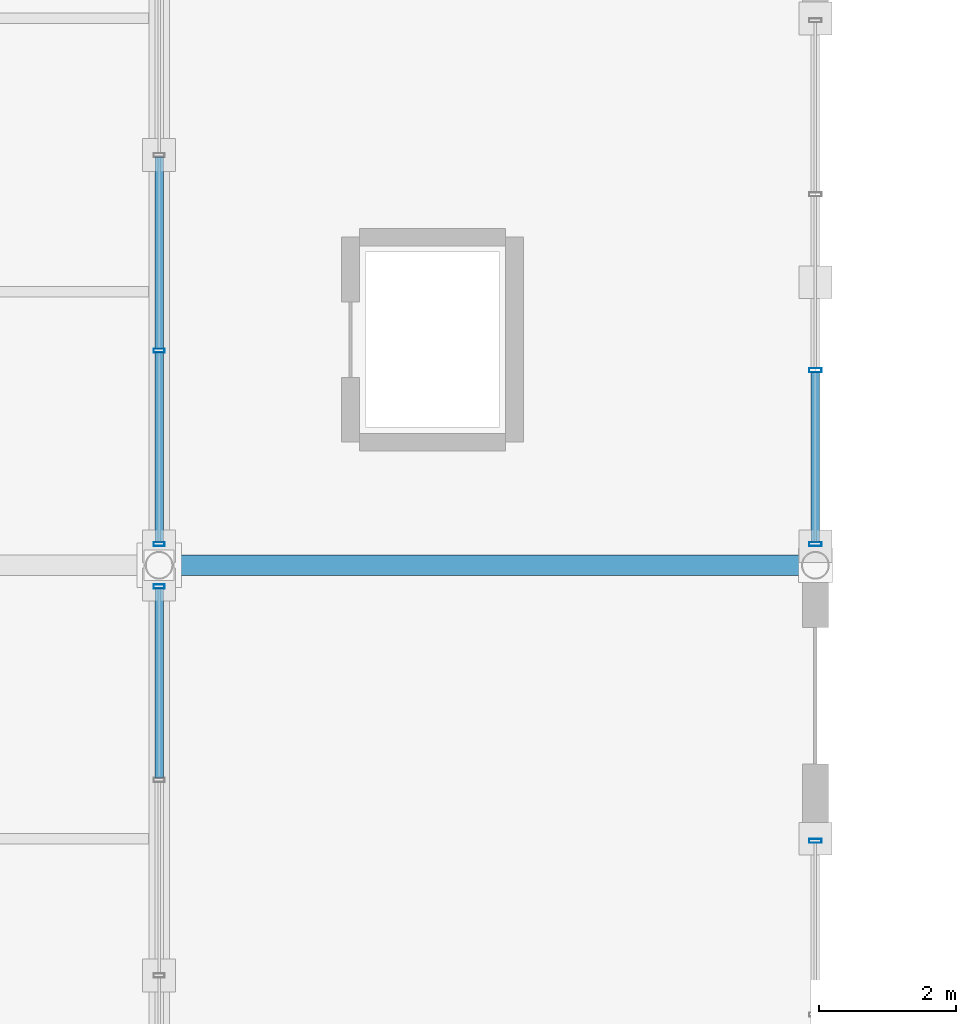
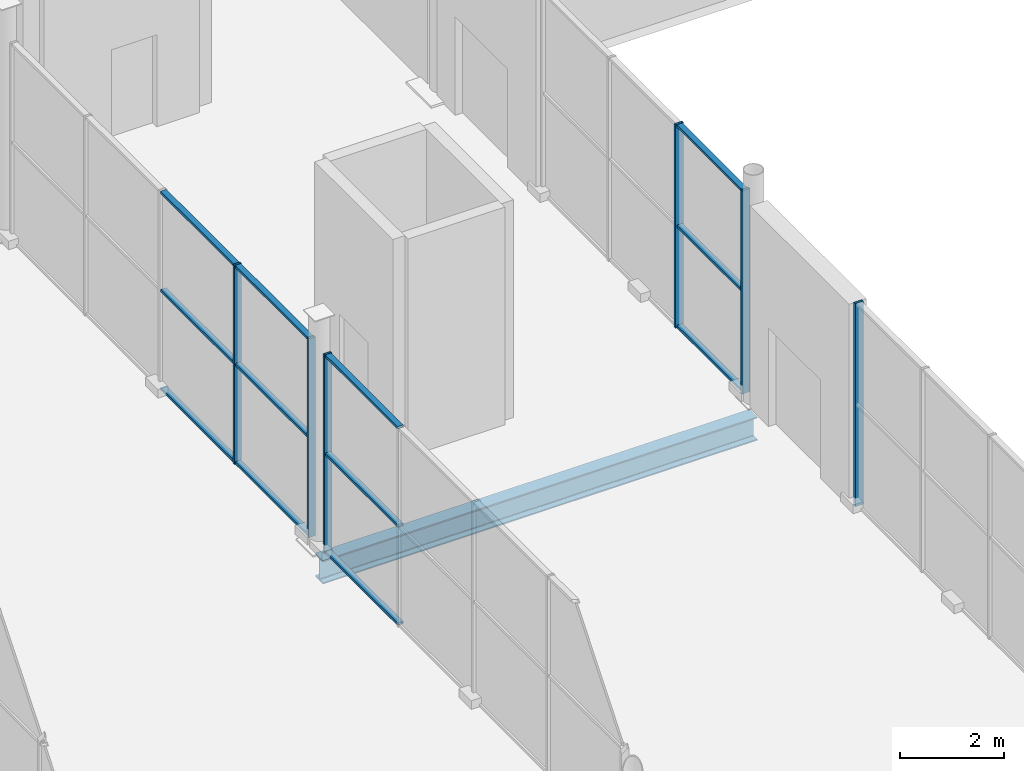
# One storey, part 116 of 196: 18 members, 1 beam, 4 elements without a shape of their own.
"""IFC4 building model written with IfcOpenShell, lengths in metres."""

from ifc_helpers import new_model, si_unit, direction, frame, origin, origin_2d, place, context, subcontext, project, spatial, hollow_rectangle, i_section, extrude, material, material_profile, profile_set, type_object, element, aggregate, save


model = new_model("IFC4")

# Units and contexts
model_context = context("Model", 3, precision=1e-05, world=origin(), true_north=direction((0.0, 1.0)))
body_context = subcontext(model_context, "Body", "Model", "MODEL_VIEW")
ifc_project = project(units=[si_unit("LENGTHUNIT", "METRE"), si_unit("AREAUNIT", "SQUARE_METRE"), si_unit("VOLUMEUNIT", "CUBIC_METRE"), si_unit("PLANEANGLEUNIT", "RADIAN"), si_unit("MASSUNIT", "GRAM", prefix="KILO")], contexts=[model_context])

# Site, building, storey
site_placement = place(None, origin())
site = spatial("IfcSite", under=ifc_project, at=site_placement, CompositionType="ELEMENT")
building_placement = place(site_placement, origin())
building = spatial("IfcBuilding", under=site, at=building_placement, Name="Merenkruunu Market Hall", CompositionType="ELEMENT")
storey_placement = place(building_placement, origin())
storey = spatial("IfcBuildingStorey", under=building, at=storey_placement, Name="L00", CompositionType="ELEMENT", Elevation=0.0)

# Curtain wall, member
ifc_material_1 = material(Name="Powder-coated aluminium", Category="aluminium")
curtain_wall_type_1 = type_object("IfcCurtainWallType", Name="Glazed Curtain Wall CW15", PredefinedType="USERDEFINED", material=ifc_material_1)
curtain_wall_1_placement = place(storey_placement, origin())
curtain_wall_1 = element("IfcCurtainWall", 1, at=curtain_wall_1_placement, inside=storey, type_object=curtain_wall_type_1, Name="CW-L00-CWM01-174", ObjectType="GLAZED_FACADE", PredefinedType="USERDEFINED")
ifc_material_profile_1 = material_profile(ifc_material_1, hollow_rectangle(XDim=0.06005859375, YDim=0.159912109375, WallThickness=0.00390625, at=origin_2d()), Name="ALU 60x160x4")
ifc_profile_set_1 = profile_set([ifc_material_profile_1], Name="Powder-coated aluminium")
member_type_1 = type_object("IfcMemberType", Name="Curtain Wall Mullion CWM01", PredefinedType="MULLION", material=ifc_profile_set_1)
member_1_placement = place(storey_placement, frame((67.199951171875, 75.2900390625, 0.0), z_axis=(0.0, 0.0, 1.0), x_axis=(0.0, 1.0, 0.0)))
member_1 = element("IfcMember", 2, at=member_1_placement, type_object=member_type_1, Name="CW15 mullion 5", PredefinedType="MULLION", context=body_context, shape_type="SweptSolid", body=[
    extrude(hollow_rectangle(XDim=0.06005859375, YDim=0.159912109375, WallThickness=0.00390625, at=origin_2d()), origin(), (0.0, 0.0, 1.0), 4.64990234375),
])

# Curtain wall, members
curtain_wall_2_placement = place(storey_placement, origin())
curtain_wall_2 = element("IfcCurtainWall", 3, at=curtain_wall_2_placement, inside=storey, type_object=curtain_wall_type_1, Name="CW-L00-CWM01-176", ObjectType="GLAZED_FACADE", PredefinedType="USERDEFINED")
member_2_placement = place(storey_placement, frame((67.199951171875, 75.909912109375, 0.0), z_axis=(0.0, 0.0, 1.0), x_axis=(0.0, 1.0, 0.0)))
member_2 = element("IfcMember", 4, at=member_2_placement, type_object=member_type_1, Name="CW15 mullion 1", PredefinedType="MULLION", context=body_context, shape_type="SweptSolid", body=[
    extrude(hollow_rectangle(XDim=0.06005859375, YDim=0.159912109375, WallThickness=0.00390625, at=origin_2d()), origin(), (0.0, 0.0, 1.0), 4.64990234375),
])
member_3_placement = place(storey_placement, frame((67.199951171875, 78.739990234375, 0.0), z_axis=(0.0, 0.0, 1.0), x_axis=(0.0, 1.0, 0.0)))
member_3 = element("IfcMember", 5, at=member_3_placement, type_object=member_type_1, Name="CW15 mullion 2", PredefinedType="MULLION", context=body_context, shape_type="SweptSolid", body=[
    extrude(hollow_rectangle(XDim=0.06005859375, YDim=0.159912109375, WallThickness=0.00390625, at=origin_2d()), origin(), (0.0, 0.0, 1.0), 4.64990234375),
])

# Curtain wall, member
curtain_wall_type_2 = type_object("IfcCurtainWallType", Name="Glazed Curtain Wall CW12", PredefinedType="USERDEFINED", material=ifc_material_1)
curtain_wall_3_placement = place(storey_placement, origin())
curtain_wall_3 = element("IfcCurtainWall", 6, at=curtain_wall_3_placement, inside=storey, type_object=curtain_wall_type_2, Name="CW-L00-CWM02-162", ObjectType="GLAZED_FACADE", PredefinedType="USERDEFINED")
ifc_material_profile_2 = material_profile(ifc_material_1, hollow_rectangle(XDim=0.06005859375, YDim=0.179931640625, WallThickness=0.00390625, at=origin_2d()), Name="ALU 60x180x4")
ifc_profile_set_2 = profile_set([ifc_material_profile_2], Name="Powder-coated aluminium")
member_type_2 = type_object("IfcMemberType", Name="Curtain Wall Mullion CWM02", PredefinedType="MULLION", material=ifc_profile_set_2)
member_4_placement = place(storey_placement, frame((76.800048828125, 71.570068359375, 0.0), z_axis=(0.0, 0.0, 1.0), x_axis=(0.0, -1.0, 0.0)))
member_4 = element("IfcMember", 7, at=member_4_placement, type_object=member_type_2, Name="CW12 mullion 1", PredefinedType="MULLION", context=body_context, shape_type="SweptSolid", body=[
    extrude(hollow_rectangle(XDim=0.06005859375, YDim=0.179931640625, WallThickness=0.00390625, at=origin_2d()), origin(), (0.0, 0.0, 1.0), 4.75),
])
aggregate(curtain_wall_3, [member_4])

# Curtain wall, members
curtain_wall_4_placement = place(storey_placement, origin())
curtain_wall_4 = element("IfcCurtainWall", 8, at=curtain_wall_4_placement, inside=storey, type_object=curtain_wall_type_2, Name="CW-L00-CWM02-165", ObjectType="GLAZED_FACADE", PredefinedType="USERDEFINED")
member_5_placement = place(storey_placement, frame((76.800048828125, 78.453369140625, 0.0), z_axis=(0.0, 0.0, 1.0), x_axis=(0.0, -1.0, 0.0)))
member_5 = element("IfcMember", 9, at=member_5_placement, type_object=member_type_2, Name="CW12 mullion 3", PredefinedType="MULLION", context=body_context, shape_type="SweptSolid", body=[
    extrude(hollow_rectangle(XDim=0.06005859375, YDim=0.179931640625, WallThickness=0.00390625, at=origin_2d()), origin(), (0.0, 0.0, 1.0), 4.75),
])
member_6_placement = place(storey_placement, frame((76.800048828125, 75.909912109375, 0.0), z_axis=(0.0, 0.0, 1.0), x_axis=(0.0, -1.0, 0.0)))
member_6 = element("IfcMember", 10, at=member_6_placement, type_object=member_type_2, Name="CW12 mullion 4", PredefinedType="MULLION", context=body_context, shape_type="SweptSolid", body=[
    extrude(hollow_rectangle(XDim=0.06005859375, YDim=0.179931640625, WallThickness=0.00390625, at=origin_2d()), origin(), (0.0, 0.0, 1.0), 4.75),
])
ifc_material_profile_3 = material_profile(ifc_material_1, hollow_rectangle(XDim=0.06005859375, YDim=0.125, WallThickness=0.00390625, at=origin_2d()), Name="ALU 60x125x4")
ifc_profile_set_3 = profile_set([ifc_material_profile_3], Name="Powder-coated aluminium")
member_type_3 = type_object("IfcMemberType", Name="Curtain Wall Transom CWT01", PredefinedType="USERDEFINED", material=ifc_profile_set_3)
member_7_placement = place(storey_placement, frame((76.800048828125, 78.42333984375, 0.030029296875), z_axis=(0.0, -1.0, 0.0), x_axis=(0.0, 0.0, 1.0)))
member_7 = element("IfcMember", 11, at=member_7_placement, type_object=member_type_3, Name="CW12 transom 3.1", ObjectType="TRANSOM", PredefinedType="USERDEFINED", context=body_context, shape_type="SweptSolid", body=[
    extrude(hollow_rectangle(XDim=0.06005859375, YDim=0.125, WallThickness=0.00390625, at=origin_2d()), origin(), (0.0, 0.0, 1.0), 2.4833984375),
])
member_8_placement = place(storey_placement, frame((76.800048828125, 78.42333984375, 2.375), z_axis=(0.0, -1.0, 0.0), x_axis=(0.0, 0.0, 1.0)))
member_8 = element("IfcMember", 12, at=member_8_placement, type_object=member_type_3, Name="CW12 transom 3.2", ObjectType="TRANSOM", PredefinedType="USERDEFINED", context=body_context, shape_type="SweptSolid", body=[
    extrude(hollow_rectangle(XDim=0.06005859375, YDim=0.125, WallThickness=0.00390625, at=origin_2d()), origin(), (0.0, 0.0, 1.0), 2.4833984375),
])
member_9_placement = place(storey_placement, frame((76.800048828125, 78.42333984375, 4.719970703125), z_axis=(0.0, -1.0, 0.0), x_axis=(0.0, 0.0, 1.0)))
member_9 = element("IfcMember", 13, at=member_9_placement, type_object=member_type_3, Name="CW12 transom 3.3", ObjectType="TRANSOM", PredefinedType="USERDEFINED", context=body_context, shape_type="SweptSolid", body=[
    extrude(hollow_rectangle(XDim=0.06005859375, YDim=0.125, WallThickness=0.00390625, at=origin_2d()), origin(), (0.0, 0.0, 1.0), 2.4833984375),
])
aggregate(curtain_wall_4, [member_5, member_6, member_7, member_8, member_9])

# Member
member_10_placement = place(storey_placement, frame((67.199951171875, 72.489990234375, 0.030029296875), z_axis=(0.0, 1.0, 0.0), x_axis=(0.0, 0.0, 1.0)))
member_10 = element("IfcMember", 14, at=member_10_placement, type_object=member_type_3, Name="CW15 transom 4.1", ObjectType="TRANSOM", PredefinedType="USERDEFINED", context=body_context, shape_type="SweptSolid", body=[
    extrude(hollow_rectangle(XDim=0.06005859375, YDim=0.125, WallThickness=0.00390625, at=origin_2d()), origin(), (0.0, 0.0, 1.0), 2.77001953125),
])

member_11_placement = place(storey_placement, frame((67.199951171875, 72.489990234375, 2.324951171875), z_axis=(0.0, 1.0, 0.0), x_axis=(0.0, 0.0, 1.0)))
member_11 = element("IfcMember", 15, at=member_11_placement, type_object=member_type_3, Name="CW15 transom 4.2", ObjectType="TRANSOM", PredefinedType="USERDEFINED", context=body_context, shape_type="SweptSolid", body=[
    extrude(hollow_rectangle(XDim=0.06005859375, YDim=0.125, WallThickness=0.00390625, at=origin_2d()), origin(), (0.0, 0.0, 1.0), 2.77001953125),
])

member_12_placement = place(storey_placement, frame((67.199951171875, 72.489990234375, 4.6201171875), z_axis=(0.0, 1.0, 0.0), x_axis=(0.0, 0.0, 1.0)))
member_12 = element("IfcMember", 16, at=member_12_placement, type_object=member_type_3, Name="CW15 transom 4.3", ObjectType="TRANSOM", PredefinedType="USERDEFINED", context=body_context, shape_type="SweptSolid", body=[
    extrude(hollow_rectangle(XDim=0.06005859375, YDim=0.125, WallThickness=0.00390625, at=origin_2d()), origin(), (0.0, 0.0, 1.0), 2.77001953125),
])

aggregate(curtain_wall_1, [member_1, member_10, member_11, member_12])

member_13_placement = place(storey_placement, frame((67.199951171875, 75.93994140625, 0.030029296875), z_axis=(0.0, 1.0, 0.0), x_axis=(0.0, 0.0, 1.0)))
member_13 = element("IfcMember", 17, at=member_13_placement, type_object=member_type_3, Name="CW15 transom 1.1", ObjectType="TRANSOM", PredefinedType="USERDEFINED", context=body_context, shape_type="SweptSolid", body=[
    extrude(hollow_rectangle(XDim=0.06005859375, YDim=0.125, WallThickness=0.00390625, at=origin_2d()), origin(), (0.0, 0.0, 1.0), 2.77001953125),
])

member_14_placement = place(storey_placement, frame((67.199951171875, 75.93994140625, 2.324951171875), z_axis=(0.0, 1.0, 0.0), x_axis=(0.0, 0.0, 1.0)))
member_14 = element("IfcMember", 18, at=member_14_placement, type_object=member_type_3, Name="CW15 transom 1.2", ObjectType="TRANSOM", PredefinedType="USERDEFINED", context=body_context, shape_type="SweptSolid", body=[
    extrude(hollow_rectangle(XDim=0.06005859375, YDim=0.125, WallThickness=0.00390625, at=origin_2d()), origin(), (0.0, 0.0, 1.0), 2.77001953125),
])

member_15_placement = place(storey_placement, frame((67.199951171875, 75.93994140625, 4.6201171875), z_axis=(0.0, 1.0, 0.0), x_axis=(0.0, 0.0, 1.0)))
member_15 = element("IfcMember", 19, at=member_15_placement, type_object=member_type_3, Name="CW15 transom 1.3", ObjectType="TRANSOM", PredefinedType="USERDEFINED", context=body_context, shape_type="SweptSolid", body=[
    extrude(hollow_rectangle(XDim=0.06005859375, YDim=0.125, WallThickness=0.00390625, at=origin_2d()), origin(), (0.0, 0.0, 1.0), 2.77001953125),
])

member_16_placement = place(storey_placement, frame((67.199951171875, 78.77001953125, 0.030029296875), z_axis=(0.0, 1.0, 0.0), x_axis=(0.0, 0.0, 1.0)))
member_16 = element("IfcMember", 20, at=member_16_placement, type_object=member_type_3, Name="CW15 transom 2.1", ObjectType="TRANSOM", PredefinedType="USERDEFINED", context=body_context, shape_type="SweptSolid", body=[
    extrude(hollow_rectangle(XDim=0.06005859375, YDim=0.125, WallThickness=0.00390625, at=origin_2d()), origin(), (0.0, 0.0, 1.0), 2.800048828125),
])

member_17_placement = place(storey_placement, frame((67.199951171875, 78.77001953125, 2.324951171875), z_axis=(0.0, 1.0, 0.0), x_axis=(0.0, 0.0, 1.0)))
member_17 = element("IfcMember", 21, at=member_17_placement, type_object=member_type_3, Name="CW15 transom 2.2", ObjectType="TRANSOM", PredefinedType="USERDEFINED", context=body_context, shape_type="SweptSolid", body=[
    extrude(hollow_rectangle(XDim=0.06005859375, YDim=0.125, WallThickness=0.00390625, at=origin_2d()), origin(), (0.0, 0.0, 1.0), 2.800048828125),
])

member_18_placement = place(storey_placement, frame((67.199951171875, 78.77001953125, 4.6201171875), z_axis=(0.0, 1.0, 0.0), x_axis=(0.0, 0.0, 1.0)))
member_18 = element("IfcMember", 22, at=member_18_placement, type_object=member_type_3, Name="CW15 transom 2.3", ObjectType="TRANSOM", PredefinedType="USERDEFINED", context=body_context, shape_type="SweptSolid", body=[
    extrude(hollow_rectangle(XDim=0.06005859375, YDim=0.125, WallThickness=0.00390625, at=origin_2d()), origin(), (0.0, 0.0, 1.0), 2.800048828125),
])

aggregate(curtain_wall_2, [member_2, member_3, member_13, member_14, member_15, member_16, member_17, member_18])

# Beam
ifc_material_2 = material(Name="Steel S355J2", Category="steel")
ifc_material_profile_4 = material_profile(ifc_material_2, i_section(OverallWidth=0.300048828125, OverallDepth=0.550048828125, WebThickness=0.014892578125, FlangeThickness=0.029052734375, FilletRadius=0.027099609375, at=origin_2d()), Name="HEB 550")
ifc_profile_set_4 = profile_set([ifc_material_profile_4], Name="Steel S355J2")
beam_type = type_object("IfcBeamType", Name="Primary Floor Girder B02", PredefinedType="BEAM", material=ifc_profile_set_4)
beam_placement = place(storey_placement, frame((67.199951171875, 75.60009765625, -0.574951171875), z_axis=(1.0, 0.0, 0.0), x_axis=(0.0, 1.0, 0.0)))
element("IfcBeam", 23, at=beam_placement, inside=storey, type_object=beam_type, Name="BM-L00-B02-0105", PredefinedType="BEAM", context=body_context, shape_type="SweptSolid", body=[
    extrude(i_section(OverallWidth=0.300048828125, OverallDepth=0.550048828125, WebThickness=0.014892578125, FlangeThickness=0.029052734375, FilletRadius=0.027099609375, at=origin_2d()), origin(), (0.0, 0.0, 1.0), 9.60009765625),
])

save(model, "model.ifc")
